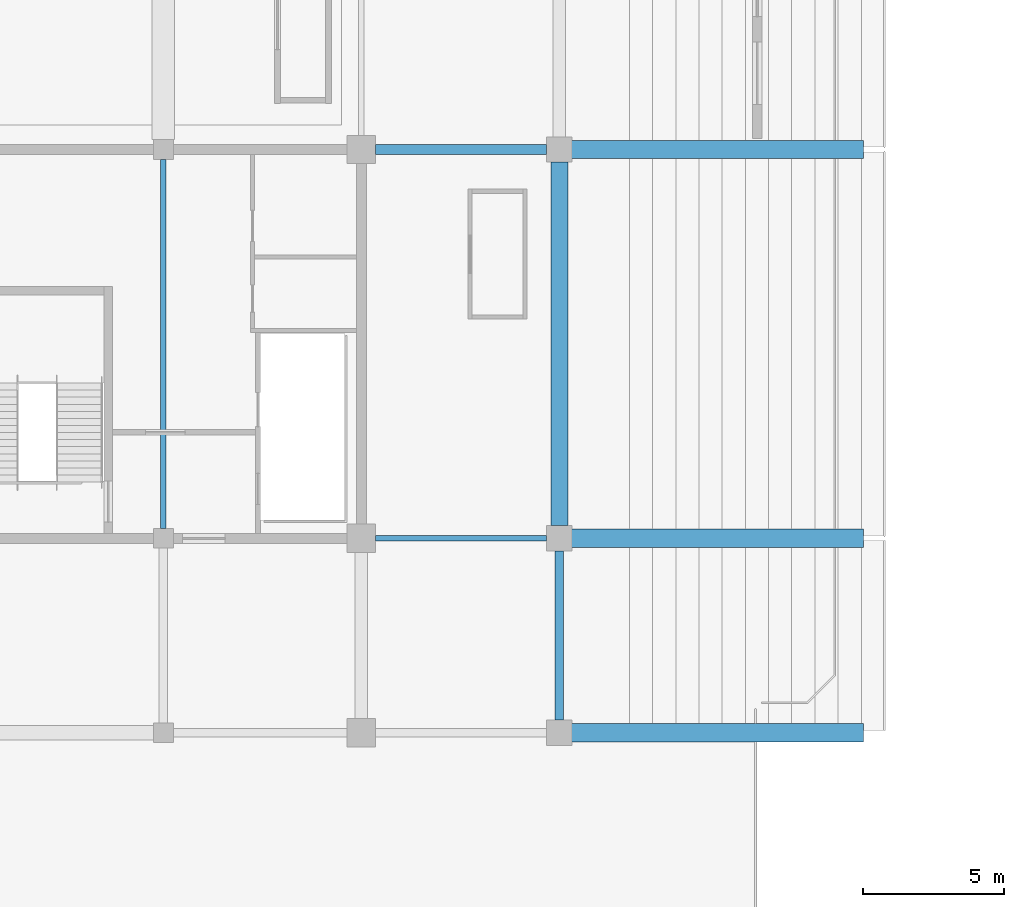
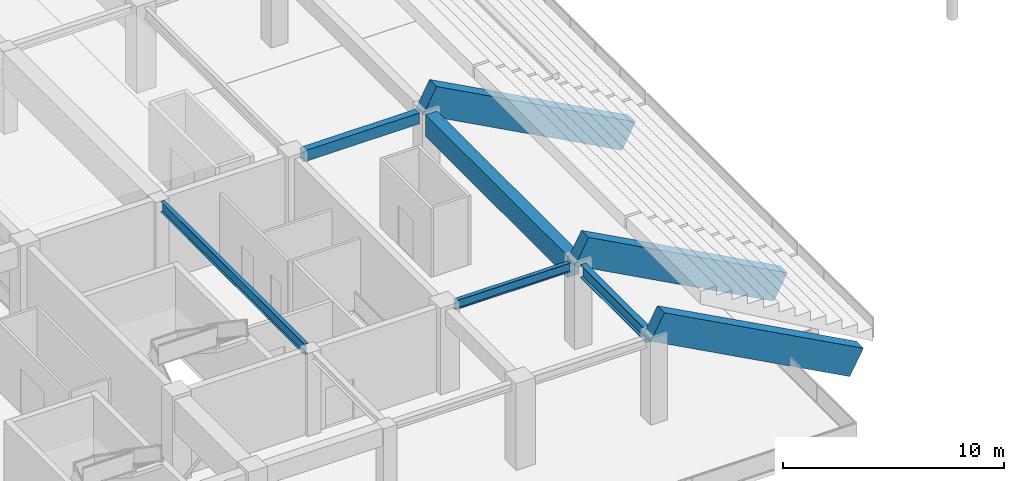
# One storey, part 17 of 94: 8 beams.
"""IFC4 building model written with IfcOpenShell, lengths in metres."""

from ifc_helpers import new_model, si_unit, direction, frame, origin, origin_2d, place, context, subcontext, project, spatial, rectangle, i_section, extrude, material, material_profile, profile_set, type_object, element, save


model = new_model("IFC4")

# Units and contexts
model_context = context("Model", 3, precision=1e-05, world=origin(), true_north=direction((0.0, 1.0)))
body_context = subcontext(model_context, "Body", "Model", "MODEL_VIEW")
ifc_project = project(units=[si_unit("LENGTHUNIT", "METRE"), si_unit("AREAUNIT", "SQUARE_METRE"), si_unit("VOLUMEUNIT", "CUBIC_METRE"), si_unit("PLANEANGLEUNIT", "RADIAN"), si_unit("MASSUNIT", "GRAM", prefix="KILO")], contexts=[model_context])

# Site, building, storey
site_placement = place(None, origin())
site = spatial("IfcSite", under=ifc_project, at=site_placement, CompositionType="ELEMENT")
building_placement = place(site_placement, origin())
building = spatial("IfcBuilding", under=site, at=building_placement, Name="Linyun Crest Stadium", CompositionType="ELEMENT")
storey_placement = place(building_placement, frame((0.0, 0.0, 16.199951171875)))
storey = spatial("IfcBuildingStorey", under=building, at=storey_placement, Name="L04", CompositionType="ELEMENT", Elevation=16.199951171875)

# Beams
ifc_material_1 = material(Name="Concrete C40", Category="concrete")
ifc_material_profile_1 = material_profile(ifc_material_1, rectangle(XDim=0.35009765625, YDim=0.60009765625, at=origin_2d()), Name="RCB 600x350")
ifc_profile_set_1 = profile_set([ifc_material_profile_1], Name="Concrete C40")
beam_type_1 = type_object("IfcBeamType", Name="B01", PredefinedType="BEAM", material=ifc_profile_set_1)
beam_1_placement = place(storey_placement, frame((-69.5, -25.375, 4.300048828125), z_axis=(1.0, 0.0, 0.0), x_axis=(0.0, 1.0, 0.0)))
element("IfcBeam", 1, at=beam_1_placement, inside=storey, type_object=beam_type_1, Name="Frame beam B01 L04 305", PredefinedType="BEAM", context=body_context, shape_type="SweptSolid", body=[
    extrude(rectangle(XDim=0.35009765625, YDim=0.60009765625, at=origin_2d()), origin(), (0.0, 0.0, 1.0), 6.050048828125),
])
ifc_material_2 = material(Name="Steel Q355C", Category="steel")
ifc_material_profile_2 = material_profile(ifc_material_2, i_section(OverallWidth=0.199951171875, OverallDepth=0.5, WebThickness=0.010009765625, FlangeThickness=0.01611328125, at=origin_2d()), Name="HN 500x200")
ifc_profile_set_2 = profile_set([ifc_material_profile_2], Name="Steel Q355C")
beam_type_2 = type_object("IfcBeamType", Name="B10", PredefinedType="BEAM", material=ifc_profile_set_2)
beam_2_placement = place(storey_placement, frame((-69.5, -39.125, 4.35009765625), z_axis=(1.0, 0.0, 0.0), x_axis=(0.0, 1.0, 0.0)))
element("IfcBeam", 2, at=beam_2_placement, inside=storey, type_object=beam_type_2, Name="Frame beam B10 L04 303", PredefinedType="BEAM", context=body_context, shape_type="SweptSolid", body=[
    extrude(i_section(OverallWidth=0.199951171875, OverallDepth=0.5, WebThickness=0.010009765625, FlangeThickness=0.01611328125, at=origin_2d()), origin(), (0.0, 0.0, 1.0), 6.050048828125),
])
ifc_material_3 = material(Name="Steel Q355C", Category="steel")
ifc_material_profile_3 = material_profile(ifc_material_3, i_section(OverallWidth=0.199951171875, OverallDepth=0.60009765625, WebThickness=0.010986328125, FlangeThickness=0.01708984375, at=origin_2d()), Name="HN 600x200")
ifc_profile_set_3 = profile_set([ifc_material_profile_3], Name="Steel Q355C")
beam_type_3 = type_object("IfcBeamType", Name="B11", PredefinedType="BEAM", material=ifc_profile_set_3)
beam_3_placement = place(storey_placement, frame((-77.0, -38.77490234375, 4.300048828125), z_axis=(0.0, 1.0, 0.0), x_axis=(-1.0, 0.0, 0.0)))
element("IfcBeam", 3, at=beam_3_placement, inside=storey, type_object=beam_type_3, Name="Frame beam B11 L04 332", PredefinedType="BEAM", context=body_context, shape_type="SweptSolid", body=[
    extrude(i_section(OverallWidth=0.199951171875, OverallDepth=0.60009765625, WebThickness=0.010986328125, FlangeThickness=0.01708984375, at=origin_2d()), origin(), (0.0, 0.0, 1.0), 13.0498046875),
])
ifc_material_4 = material(Name="Steel Q355C", Category="steel")
ifc_material_profile_4 = material_profile(ifc_material_4, i_section(OverallWidth=0.300048828125, OverallDepth=0.699951171875, WebThickness=0.012939453125, FlangeThickness=0.02392578125, at=origin_2d()), Name="HN 700x300")
ifc_profile_set_4 = profile_set([ifc_material_profile_4], Name="Steel Q355C")
beam_type_4 = type_object("IfcBeamType", Name="B12", PredefinedType="BEAM", material=ifc_profile_set_4)
beam_4_placement = place(storey_placement, frame((-63.0, -45.550048828125, 4.25), z_axis=(0.0, 1.0, 0.0), x_axis=(-1.0, 0.0, 0.0)))
element("IfcBeam", 4, at=beam_4_placement, inside=storey, type_object=beam_type_4, Name="Frame beam B12 L04 342", PredefinedType="BEAM", context=body_context, shape_type="SweptSolid", body=[
    extrude(i_section(OverallWidth=0.300048828125, OverallDepth=0.699951171875, WebThickness=0.012939453125, FlangeThickness=0.02392578125, at=origin_2d()), origin(), (0.0, 0.0, 1.0), 5.97509765625),
])
ifc_material_5 = material(Name="Precast concrete C50", Category="concrete")
ifc_material_profile_5 = material_profile(ifc_material_5, rectangle(XDim=0.64990234375, YDim=1.5, at=origin_2d()), Name="PCR 1500x650")
ifc_profile_set_5 = profile_set([ifc_material_profile_5], Name="Precast concrete C50")
beam_type_5 = type_object("IfcBeamType", Name="RB04", PredefinedType="USERDEFINED", material=ifc_profile_set_5)
for number, where, z_axis, x_axis, name in (
    (5, (-52.60009765625, -46.0, -0.39990234375), (-0.88047441838, 0.0, 0.474093660134), (0.0, -1.0, 0.0), "Precast raker beam RB04 V1 3"),
    (6, (-52.60009765625, -39.125, -0.39990234375), (-0.88047441838, 0.0, 0.474093660134), (0.0, -1.0, 0.0), "Precast raker beam RB04 V1 11"),
    (7, (-52.60009765625, -25.375, -0.39990234375), (-0.88047441838, 0.0, 0.474093660134), (0.0, -1.0, 0.0), "Precast raker beam RB04 V1 19"),
):
    element("IfcBeam", number, at=place(storey_placement, frame(where, z_axis=z_axis, x_axis=x_axis)), inside=storey, type_object=beam_type_5, Name=name, ObjectType="RAKER", PredefinedType="USERDEFINED", context=body_context, shape_type="SweptSolid", body=[
        extrude(rectangle(XDim=0.64990234375, YDim=1.5, at=origin_2d()), origin(), (0.0, 0.0, 1.0), 11.811767578125),
    ])
ifc_material_6 = material(Name="Concrete C50", Category="concrete")
ifc_material_profile_6 = material_profile(ifc_material_6, rectangle(XDim=0.60009765625, YDim=1.199951171875, at=origin_2d()), Name="RCB 1200x600")
ifc_profile_set_6 = profile_set([ifc_material_profile_6], Name="Concrete C50")
beam_type_6 = type_object("IfcBeamType", Name="TB02", PredefinedType="USERDEFINED", material=ifc_profile_set_6)
beam_5_placement = place(storey_placement, frame((-63.0, -38.675048828125, 4.0), z_axis=(0.0, 1.0, 0.0), x_axis=(-1.0, 0.0, 0.0)))
element("IfcBeam", 8, at=beam_5_placement, inside=storey, type_object=beam_type_6, Name="Frame beam TB02 L04 343", ObjectType="GIRDER", PredefinedType="USERDEFINED", context=body_context, shape_type="SweptSolid", body=[
    extrude(rectangle(XDim=0.60009765625, YDim=1.199951171875, at=origin_2d()), origin(), (0.0, 0.0, 1.0), 12.85009765625),
])

save(model, "model.ifc")
